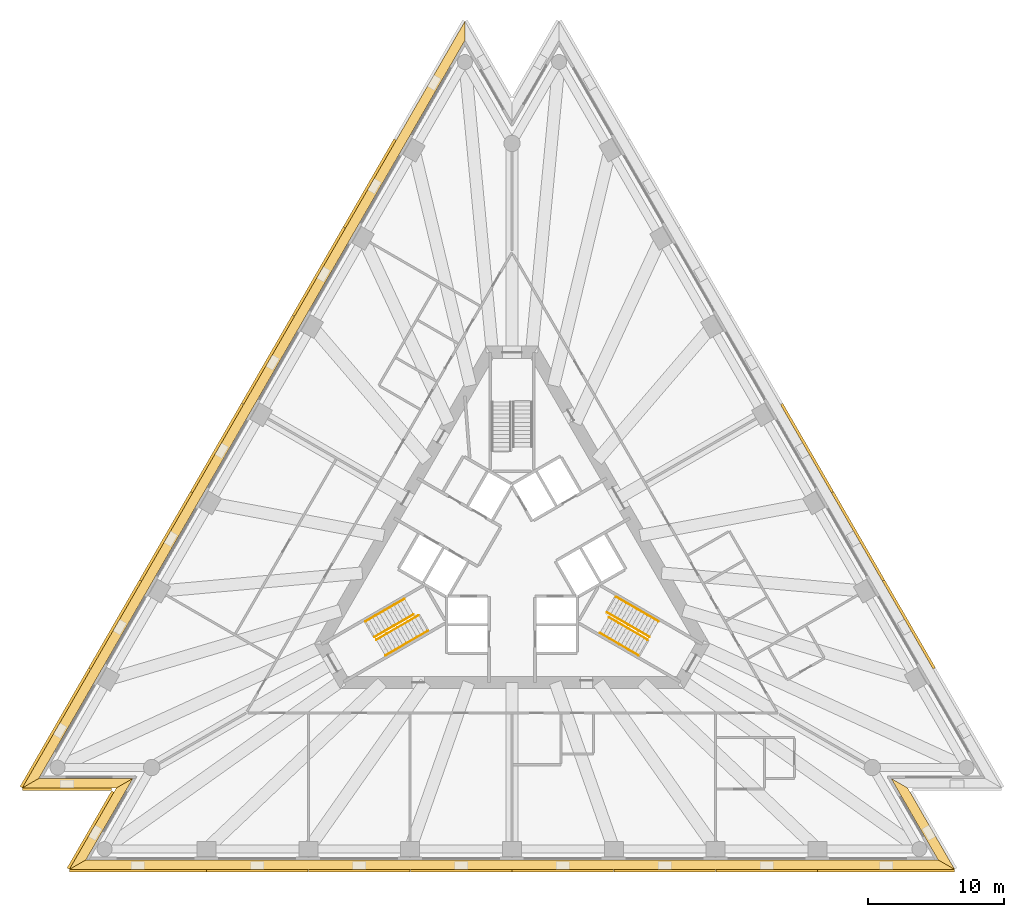
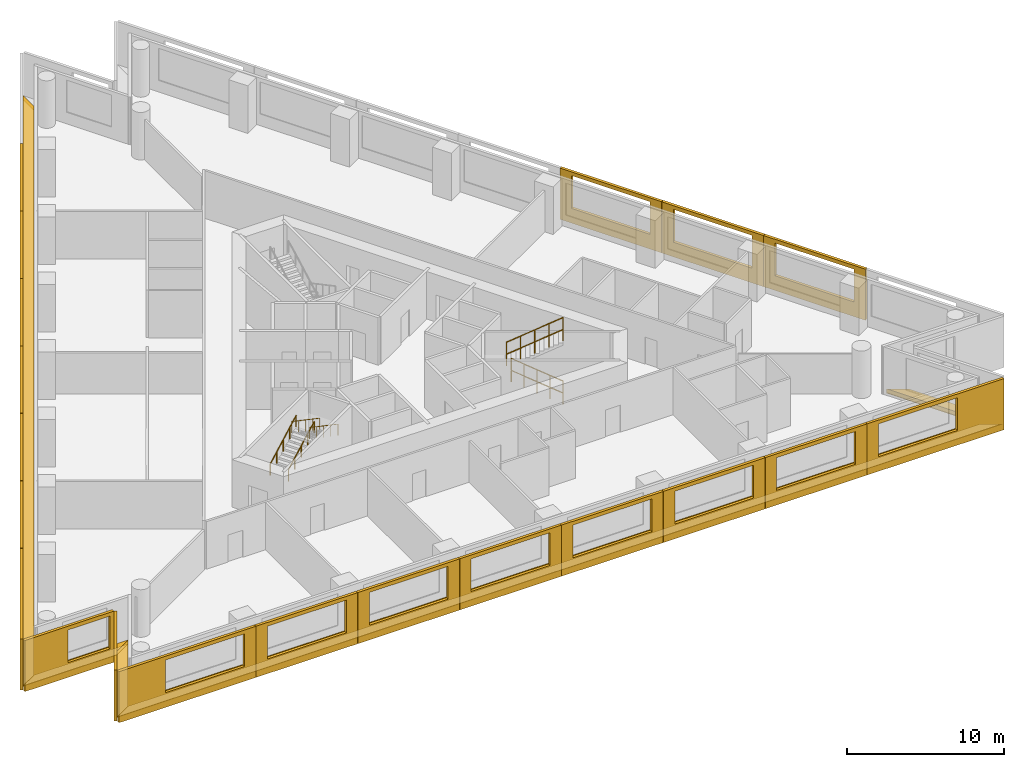
# One storey, part 8 of 9: 25 shading devices, 8 railings, 5 coverings, 2 elements without a shape of their own.
"""IFC4 building model written with IfcOpenShell, lengths in metres."""

from ifc_helpers import new_model, si_unit, direction, frame, origin, origin_2d, place, context, subcontext, project, spatial, polyline, circle, outline, extrude, material, layer, layer_set, layer_usage, type_object, element, aggregate, save


model = new_model("IFC4")

# Units and contexts
model_context = context("Model", 3, precision=1e-05, world=origin(), true_north=direction((0.0, 1.0)))
body_context = subcontext(model_context, "Body", "Model", "MODEL_VIEW")
ifc_project = project(units=[si_unit("LENGTHUNIT", "METRE"), si_unit("AREAUNIT", "SQUARE_METRE"), si_unit("VOLUMEUNIT", "CUBIC_METRE"), si_unit("PLANEANGLEUNIT", "RADIAN"), si_unit("MASSUNIT", "GRAM", prefix="KILO")], contexts=[model_context])

# Site, building, storey
site_placement = place(None, origin())
site = spatial("IfcSite", under=ifc_project, at=site_placement, CompositionType="ELEMENT")
building_placement = place(site_placement, origin())
building = spatial("IfcBuilding", under=site, at=building_placement, Name="Triada Interchange Tower", CompositionType="ELEMENT")
storey_placement = place(building_placement, frame((0.0, 0.0, 47.300048828125)))
storey = spatial("IfcBuildingStorey", under=building, at=storey_placement, Name="L09", CompositionType="ELEMENT", Elevation=47.300048828125)

# Coverings
ifc_material_1 = material(Name="Mineral fire-stop board")
ifc_layer_1 = layer(ifc_material_1, 0.0400390625, Name="Mineral fire-stop board")
ifc_material_2 = material(Name="Intumescent sealant")
ifc_layer_2 = layer(ifc_material_2, 0.010009765625, Name="Intumescent seal")
ifc_layer_set_1 = layer_set([ifc_layer_1, ifc_layer_2], Name="Cavity fire stop")
ifc_layer_usage = layer_usage(ifc_layer_set_1, "AXIS3", "POSITIVE", 0.0)
covering_type = type_object("IfcCoveringType", Name="Cavity fire stop", PredefinedType="INSULATION", material=ifc_layer_set_1)
covering_1_placement = place(storey_placement, origin())
element("IfcCovering", 1, at=covering_1_placement, inside=storey, type_object=covering_type, material=ifc_layer_usage, Name="Cavity fire stop L09 NW", PredefinedType="INSULATION", context=body_context, shape_type="SweptSolid", body=[
    extrude(outline(polyline([(-3.4619140625, 38.218017578125), (-3.4619140625, 39.617919921875), (-36.041015625, -16.81103515625), (-34.8291015625, -16.111083984375), (-3.4619140625, 38.218017578125)])), origin(), (0.0, 0.0, 1.0), 0.050048828125),
])
covering_2_placement = place(storey_placement, origin())
element("IfcCovering", 2, at=covering_2_placement, inside=storey, type_object=covering_type, material=ifc_layer_usage, Name="Cavity fire stop L09 SW-1", PredefinedType="INSULATION", context=body_context, shape_type="SweptSolid", body=[
    extrude(outline(polyline([(-34.8291015625, -16.111083984375), (-36.041015625, -16.81103515625), (-29.116943359375, -16.81103515625), (-27.905029296875, -16.111083984375), (-34.8291015625, -16.111083984375)])), origin(), (0.0, 0.0, 1.0), 0.050048828125),
])
covering_3_placement = place(storey_placement, origin())
element("IfcCovering", 3, at=covering_3_placement, inside=storey, type_object=covering_type, material=ifc_layer_usage, Name="Cavity fire stop L09 SW-2", PredefinedType="INSULATION", context=body_context, shape_type="SweptSolid", body=[
    extrude(outline(polyline([(-27.905029296875, -16.111083984375), (-29.116943359375, -16.81103515625), (-32.5791015625, -22.806884765625), (-31.366943359375, -22.10693359375), (-27.905029296875, -16.111083984375)])), origin(), (0.0, 0.0, 1.0), 0.050048828125),
])
covering_4_placement = place(storey_placement, origin())
element("IfcCovering", 4, at=covering_4_placement, inside=storey, type_object=covering_type, material=ifc_layer_usage, Name="Cavity fire stop L09 S", PredefinedType="INSULATION", context=body_context, shape_type="SweptSolid", body=[
    extrude(outline(polyline([(-31.366943359375, -22.10693359375), (-32.5791015625, -22.806884765625), (32.5791015625, -22.806884765625), (31.366943359375, -22.10693359375), (-31.366943359375, -22.10693359375)])), origin(), (0.0, 0.0, 1.0), 0.050048828125),
])
covering_5_placement = place(storey_placement, origin())
element("IfcCovering", 5, at=covering_5_placement, inside=storey, type_object=covering_type, material=ifc_layer_usage, Name="Cavity fire stop L09 SE-1", PredefinedType="INSULATION", context=body_context, shape_type="SweptSolid", body=[
    extrude(outline(polyline([(31.366943359375, -22.10693359375), (32.5791015625, -22.806884765625), (29.116943359375, -16.81103515625), (27.905029296875, -16.111083984375), (31.366943359375, -22.10693359375)])), origin(), (0.0, 0.0, 1.0), 0.050048828125),
])

# Shading devices
ifc_material_3 = material(Name="Aluminium louvre", Category="aluminium")
shading_device_type_1 = type_object("IfcShadingDeviceType", Name="Cavity louvre grille", PredefinedType="JALOUSIE", material=ifc_material_3)
shading_device_1_placement = place(storey_placement, frame((0.0, 0.0, 0.050048828125)))
element("IfcShadingDevice", 6, at=shading_device_1_placement, inside=storey, type_object=shading_device_type_1, Name="Cavity louvre grille L09 NW", PredefinedType="JALOUSIE", context=body_context, shape_type="SweptSolid", body=[
    extrude(outline(polyline([(-3.4619140625, 38.218017578125), (-3.4619140625, 39.617919921875), (-36.041015625, -16.81103515625), (-34.8291015625, -16.111083984375), (-3.4619140625, 38.218017578125)])), origin(), (0.0, 0.0, 1.0), 0.2998046875),
])
shading_device_2_placement = place(storey_placement, frame((0.0, 0.0, 0.050048828125)))
element("IfcShadingDevice", 7, at=shading_device_2_placement, inside=storey, type_object=shading_device_type_1, Name="Cavity louvre grille L09 SW-1", PredefinedType="JALOUSIE", context=body_context, shape_type="SweptSolid", body=[
    extrude(outline(polyline([(-34.8291015625, -16.111083984375), (-36.041015625, -16.81103515625), (-29.116943359375, -16.81103515625), (-27.905029296875, -16.111083984375), (-34.8291015625, -16.111083984375)])), origin(), (0.0, 0.0, 1.0), 0.2998046875),
])
shading_device_3_placement = place(storey_placement, frame((0.0, 0.0, 0.050048828125)))
element("IfcShadingDevice", 8, at=shading_device_3_placement, inside=storey, type_object=shading_device_type_1, Name="Cavity louvre grille L09 SW-2", PredefinedType="JALOUSIE", context=body_context, shape_type="SweptSolid", body=[
    extrude(outline(polyline([(-27.905029296875, -16.111083984375), (-29.116943359375, -16.81103515625), (-32.5791015625, -22.806884765625), (-31.366943359375, -22.10693359375), (-27.905029296875, -16.111083984375)])), origin(), (0.0, 0.0, 1.0), 0.2998046875),
])
shading_device_4_placement = place(storey_placement, frame((0.0, 0.0, 0.050048828125)))
element("IfcShadingDevice", 9, at=shading_device_4_placement, inside=storey, type_object=shading_device_type_1, Name="Cavity louvre grille L09 S", PredefinedType="JALOUSIE", context=body_context, shape_type="SweptSolid", body=[
    extrude(outline(polyline([(-31.366943359375, -22.10693359375), (-32.5791015625, -22.806884765625), (32.5791015625, -22.806884765625), (31.366943359375, -22.10693359375), (-31.366943359375, -22.10693359375)])), origin(), (0.0, 0.0, 1.0), 0.2998046875),
])
shading_device_5_placement = place(storey_placement, frame((0.0, 0.0, 0.050048828125)))
element("IfcShadingDevice", 10, at=shading_device_5_placement, inside=storey, type_object=shading_device_type_1, Name="Cavity louvre grille L09 SE-1", PredefinedType="JALOUSIE", context=body_context, shape_type="SweptSolid", body=[
    extrude(outline(polyline([(31.366943359375, -22.10693359375), (32.5791015625, -22.806884765625), (29.116943359375, -16.81103515625), (27.905029296875, -16.111083984375), (31.366943359375, -22.10693359375)])), origin(), (0.0, 0.0, 1.0), 0.2998046875),
])
ifc_material_4 = material(Name="Concrete C50/60 precast", Category="concrete")
ifc_layer_3 = layer(ifc_material_4, 0.02001953125, Name="Exposed aggregate face")
ifc_layer_4 = layer(ifc_material_4, 0.179931640625, Name="Precast concrete screen")
ifc_layer_set_2 = layer_set([ifc_layer_3, ifc_layer_4], Name="Outer skin screen panel 3980")
shading_device_type_2 = type_object("IfcShadingDeviceType", Name="Outer skin screen panel 3980", PredefinedType="SHUTTER", material=ifc_layer_set_2)
shading_device_6_placement = place(storey_placement, frame((-8.513916015625, 30.867919921875, -0.2900390625), z_axis=(0.0, 0.0, 1.0), x_axis=(-0.499936381736, -0.866062130691, 0.0)))
element("IfcShadingDevice", 11, at=shading_device_6_placement, inside=storey, type_object=shading_device_type_2, Name="Outer skin screen panel L09 02", PredefinedType="SHUTTER", context=body_context, shape_type="SweptSolid", body=[
    extrude(outline(polyline([(0.0, 0.0), (7.47509765625, 0.0), (7.47509765625, 3.97998046875), (0.0, 3.97998046875), (0.0, 0.0)]), holes=[polyline([(0.837158203125, 1.139892578125), (0.837158203125, 3.68994140625), (6.63720703125, 3.68994140625), (6.63720703125, 1.139892578125), (0.837158203125, 1.139892578125)])]), frame((0.0, 0.0, 0.0), z_axis=(0.0, -1.0, 0.0), x_axis=(1.0, 0.0, 0.0)), (0.0, 0.0, 1.0), 0.199951171875),
])
shading_device_7_placement = place(storey_placement, frame((-12.260986328125, 24.376953125, -0.2900390625), z_axis=(0.0, 0.0, 1.0), x_axis=(-0.50003436236, -0.866005563758, 0.0)))
element("IfcShadingDevice", 12, at=shading_device_7_placement, inside=storey, type_object=shading_device_type_2, Name="Outer skin screen panel L09 03", PredefinedType="SHUTTER", context=body_context, shape_type="SweptSolid", body=[
    extrude(outline(polyline([(0.0, 0.0), (7.4755859375, 0.0), (7.4755859375, 3.97998046875), (0.0, 3.97998046875), (0.0, 0.0)]), holes=[polyline([(0.837890625, 1.139892578125), (0.837890625, 3.68994140625), (6.637939453125, 3.68994140625), (6.637939453125, 1.139892578125), (0.837890625, 1.139892578125)])]), frame((0.0, 0.0, 0.0), z_axis=(0.0, -1.0, 0.0), x_axis=(1.0, 0.0, 0.0)), (0.0, 0.0, 1.0), 0.199951171875),
])
shading_device_8_placement = place(storey_placement, frame((-16.009033203125, 17.885986328125, -0.2900390625), z_axis=(0.0, 0.0, 1.0), x_axis=(-0.50003436236, -0.866005563758, 0.0)))
element("IfcShadingDevice", 13, at=shading_device_8_placement, inside=storey, type_object=shading_device_type_2, Name="Outer skin screen panel L09 04", PredefinedType="SHUTTER", context=body_context, shape_type="SweptSolid", body=[
    extrude(outline(polyline([(0.0, 0.0), (7.4755859375, 0.0), (7.4755859375, 3.97998046875), (0.0, 3.97998046875), (0.0, 0.0)]), holes=[polyline([(0.837646484375, 1.139892578125), (0.837646484375, 3.68994140625), (6.6376953125, 3.68994140625), (6.6376953125, 1.139892578125), (0.837646484375, 1.139892578125)])]), frame((0.0, 0.0, 0.0), z_axis=(0.0, -1.0, 0.0), x_axis=(1.0, 0.0, 0.0)), (0.0, 0.0, 1.0), 0.199951171875),
])
shading_device_9_placement = place(storey_placement, frame((-19.757080078125, 11.39501953125, -0.2900390625), z_axis=(0.0, 0.0, 1.0), x_axis=(-0.499897742873, -0.866084433915, 0.0)))
element("IfcShadingDevice", 14, at=shading_device_9_placement, inside=storey, type_object=shading_device_type_2, Name="Outer skin screen panel L09 05", PredefinedType="SHUTTER", context=body_context, shape_type="SweptSolid", body=[
    extrude(outline(polyline([(0.0, 0.0), (7.47509765625, 0.0), (7.47509765625, 3.97998046875), (0.0, 3.97998046875), (0.0, 0.0)]), holes=[polyline([(0.83740234375, 1.139892578125), (0.83740234375, 3.68994140625), (6.63720703125, 3.68994140625), (6.63720703125, 1.139892578125), (0.83740234375, 1.139892578125)])]), frame((0.0, 0.0, 0.0), z_axis=(0.0, -1.0, 0.0), x_axis=(1.0, 0.0, 0.0)), (0.0, 0.0, 1.0), 0.199951171875),
])
shading_device_10_placement = place(storey_placement, frame((-23.50390625, 4.904052734375, -0.2900390625), z_axis=(0.0, 0.0, 1.0), x_axis=(-0.500020220498, -0.86601372916, 0.0)))
element("IfcShadingDevice", 15, at=shading_device_10_placement, inside=storey, type_object=shading_device_type_2, Name="Outer skin screen panel L09 06", PredefinedType="SHUTTER", context=body_context, shape_type="SweptSolid", body=[
    extrude(outline(polyline([(0.0, 0.0), (7.475830078125, 0.0), (7.475830078125, 3.97998046875), (0.0, 3.97998046875), (0.0, 0.0)]), holes=[polyline([(0.838134765625, 1.139892578125), (0.838134765625, 3.68994140625), (6.63818359375, 3.68994140625), (6.63818359375, 1.139892578125), (0.838134765625, 1.139892578125)])]), frame((0.0, 0.0, 0.0), z_axis=(0.0, -1.0, 0.0), x_axis=(1.0, 0.0, 0.0)), (0.0, 0.0, 1.0), 0.199951171875),
])
shading_device_11_placement = place(storey_placement, frame((-27.251953125, -1.5869140625, -0.2900390625), z_axis=(0.0, 0.0, 1.0), x_axis=(-0.500020220498, -0.86601372916, 0.0)))
element("IfcShadingDevice", 16, at=shading_device_11_placement, inside=storey, type_object=shading_device_type_2, Name="Outer skin screen panel L09 07", PredefinedType="SHUTTER", context=body_context, shape_type="SweptSolid", body=[
    extrude(outline(polyline([(0.0, 0.0), (7.475830078125, 0.0), (7.475830078125, 3.97998046875), (0.0, 3.97998046875), (0.0, 0.0)]), holes=[polyline([(0.837890625, 1.139892578125), (0.837890625, 3.68994140625), (6.6376953125, 3.68994140625), (6.6376953125, 1.139892578125), (0.837890625, 1.139892578125)])]), frame((0.0, 0.0, 0.0), z_axis=(0.0, -1.0, 0.0), x_axis=(1.0, 0.0, 0.0)), (0.0, 0.0, 1.0), 0.199951171875),
])
shading_device_12_placement = place(storey_placement, frame((-31.0, -8.077880859375, -0.2900390625), z_axis=(0.0, 0.0, 1.0), x_axis=(-0.499926661183, -0.86606774183, 0.0)))
element("IfcShadingDevice", 17, at=shading_device_12_placement, inside=storey, type_object=shading_device_type_2, Name="Outer skin screen panel L09 08", PredefinedType="SHUTTER", context=body_context, shape_type="SweptSolid", body=[
    extrude(outline(polyline([(0.0, 0.0), (10.0732421875, 0.0), (10.0732421875, 3.97998046875), (0.0, 3.97998046875), (0.0, 0.0)]), holes=[polyline([(0.83740234375, 1.139892578125), (0.83740234375, 3.68994140625), (6.637451171875, 3.68994140625), (6.637451171875, 1.139892578125), (0.83740234375, 1.139892578125)])]), frame((0.0, 0.0, 0.0), z_axis=(0.0, -1.0, 0.0), x_axis=(1.0, 0.0, 0.0)), (0.0, 0.0, 1.0), 0.199951171875),
])
shading_device_13_placement = place(storey_placement, frame((-36.031005859375, -16.81103515625, -0.2900390625), z_axis=(0.0, 0.0, 1.0), x_axis=(1.0, 0.0, 0.0)))
element("IfcShadingDevice", 18, at=shading_device_13_placement, inside=storey, type_object=shading_device_type_2, Name="Outer skin screen panel L09 09", PredefinedType="SHUTTER", context=body_context, shape_type="SweptSolid", body=[
    extrude(outline(polyline([(0.0, 0.0), (6.556884765625, 0.0), (6.556884765625, 3.97998046875), (0.0, 3.97998046875), (0.0, 0.0)]), holes=[polyline([(3.175048828125, 1.139892578125), (3.175048828125, 3.68994140625), (6.257080078125, 3.68994140625), (6.257080078125, 1.139892578125), (3.175048828125, 1.139892578125)])]), frame((0.0, 0.0, 0.0), z_axis=(0.0, -1.0, 0.0), x_axis=(1.0, 0.0, 0.0)), (0.0, 0.0, 1.0), 0.199951171875),
])
shading_device_14_placement = place(storey_placement, frame((-29.2958984375, -17.1201171875, -0.2900390625), z_axis=(0.0, 0.0, 1.0), x_axis=(-0.499987845338, -0.866032421168, 0.0)))
element("IfcShadingDevice", 19, at=shading_device_14_placement, inside=storey, type_object=shading_device_type_2, Name="Outer skin screen panel L09 10", PredefinedType="SHUTTER", context=body_context, shape_type="SweptSolid", body=[
    extrude(outline(polyline([(0.0, 0.0), (6.556396484375, 0.0), (6.556396484375, 3.97998046875), (0.0, 3.97998046875), (0.0, 0.0)]), holes=[polyline([(0.300048828125, 1.139892578125), (0.300048828125, 3.68994140625), (2.9580078125, 3.68994140625), (2.9580078125, 1.139892578125), (0.300048828125, 1.139892578125)])]), frame((0.0, 0.0, 0.0), z_axis=(0.0, -1.0, 0.0), x_axis=(1.0, 0.0, 0.0)), (0.0, 0.0, 1.0), 0.199951171875),
])
shading_device_15_placement = place(storey_placement, frame((-32.569091796875, -22.806884765625, -0.2900390625), z_axis=(0.0, 0.0, 1.0), x_axis=(1.0, 0.0, 0.0)))
element("IfcShadingDevice", 20, at=shading_device_15_placement, inside=storey, type_object=shading_device_type_2, Name="Outer skin screen panel L09 11", PredefinedType="SHUTTER", context=body_context, shape_type="SweptSolid", body=[
    extrude(outline(polyline([(0.0, 0.0), (10.072998046875, 0.0), (10.072998046875, 3.97998046875), (0.0, 3.97998046875), (0.0, 0.0)]), holes=[polyline([(3.43603515625, 1.139892578125), (3.43603515625, 3.68994140625), (9.236083984375, 3.68994140625), (9.236083984375, 1.139892578125), (3.43603515625, 1.139892578125)])]), frame((0.0, 0.0, 0.0), z_axis=(0.0, -1.0, 0.0), x_axis=(1.0, 0.0, 0.0)), (0.0, 0.0, 1.0), 0.199951171875),
])
shading_device_16_placement = place(storey_placement, frame((-22.47607421875, -22.806884765625, -0.2900390625), z_axis=(0.0, 0.0, 1.0), x_axis=(1.0, 0.0, 0.0)))
element("IfcShadingDevice", 21, at=shading_device_16_placement, inside=storey, type_object=shading_device_type_2, Name="Outer skin screen panel L09 12", PredefinedType="SHUTTER", context=body_context, shape_type="SweptSolid", body=[
    extrude(outline(polyline([(0.0, 0.0), (7.47509765625, 0.0), (7.47509765625, 3.97998046875), (0.0, 3.97998046875), (0.0, 0.0)]), holes=[polyline([(0.837890625, 1.139892578125), (0.837890625, 3.68994140625), (6.6376953125, 3.68994140625), (6.6376953125, 1.139892578125), (0.837890625, 1.139892578125)])]), frame((0.0, 0.0, 0.0), z_axis=(0.0, -1.0, 0.0), x_axis=(1.0, 0.0, 0.0)), (0.0, 0.0, 1.0), 0.199951171875),
])
shading_device_17_placement = place(storey_placement, frame((-14.97998046875, -22.806884765625, -0.2900390625), z_axis=(0.0, 0.0, 1.0), x_axis=(1.0, 0.0, 0.0)))
element("IfcShadingDevice", 22, at=shading_device_17_placement, inside=storey, type_object=shading_device_type_2, Name="Outer skin screen panel L09 13", PredefinedType="SHUTTER", context=body_context, shape_type="SweptSolid", body=[
    extrude(outline(polyline([(0.0, 0.0), (7.47509765625, 0.0), (7.47509765625, 3.97998046875), (0.0, 3.97998046875), (0.0, 0.0)]), holes=[polyline([(0.83740234375, 1.139892578125), (0.83740234375, 3.68994140625), (6.637451171875, 3.68994140625), (6.637451171875, 1.139892578125), (0.83740234375, 1.139892578125)])]), frame((0.0, 0.0, 0.0), z_axis=(0.0, -1.0, 0.0), x_axis=(1.0, 0.0, 0.0)), (0.0, 0.0, 1.0), 0.199951171875),
])
shading_device_18_placement = place(storey_placement, frame((-7.485107421875, -22.806884765625, -0.2900390625), z_axis=(0.0, 0.0, 1.0), x_axis=(1.0, 0.0, 0.0)))
element("IfcShadingDevice", 23, at=shading_device_18_placement, inside=storey, type_object=shading_device_type_2, Name="Outer skin screen panel L09 14", PredefinedType="SHUTTER", context=body_context, shape_type="SweptSolid", body=[
    extrude(outline(polyline([(0.0, 0.0), (7.47509765625, 0.0), (7.47509765625, 3.97998046875), (0.0, 3.97998046875), (0.0, 0.0)]), holes=[polyline([(0.837158203125, 1.139892578125), (0.837158203125, 3.68994140625), (6.63720703125, 3.68994140625), (6.63720703125, 1.139892578125), (0.837158203125, 1.139892578125)])]), frame((0.0, 0.0, 0.0), z_axis=(0.0, -1.0, 0.0), x_axis=(1.0, 0.0, 0.0)), (0.0, 0.0, 1.0), 0.199951171875),
])
shading_device_19_placement = place(storey_placement, frame((0.010009765625, -22.806884765625, -0.2900390625), z_axis=(0.0, 0.0, 1.0), x_axis=(1.0, 0.0, 0.0)))
element("IfcShadingDevice", 24, at=shading_device_19_placement, inside=storey, type_object=shading_device_type_2, Name="Outer skin screen panel L09 15", PredefinedType="SHUTTER", context=body_context, shape_type="SweptSolid", body=[
    extrude(outline(polyline([(0.0, 0.0), (7.47509765625, 0.0), (7.47509765625, 3.97998046875), (0.0, 3.97998046875), (0.0, 0.0)]), holes=[polyline([(0.837890625, 1.139892578125), (0.837890625, 3.68994140625), (6.637939453125, 3.68994140625), (6.637939453125, 1.139892578125), (0.837890625, 1.139892578125)])]), frame((0.0, 0.0, 0.0), z_axis=(0.0, -1.0, 0.0), x_axis=(1.0, 0.0, 0.0)), (0.0, 0.0, 1.0), 0.199951171875),
])
shading_device_20_placement = place(storey_placement, frame((7.5048828125, -22.806884765625, -0.2900390625), z_axis=(0.0, 0.0, 1.0), x_axis=(1.0, 0.0, 0.0)))
element("IfcShadingDevice", 25, at=shading_device_20_placement, inside=storey, type_object=shading_device_type_2, Name="Outer skin screen panel L09 16", PredefinedType="SHUTTER", context=body_context, shape_type="SweptSolid", body=[
    extrude(outline(polyline([(0.0, 0.0), (7.47607421875, 0.0), (7.47607421875, 3.97998046875), (0.0, 3.97998046875), (0.0, 0.0)]), holes=[polyline([(0.837646484375, 1.139892578125), (0.837646484375, 3.68994140625), (6.6376953125, 3.68994140625), (6.6376953125, 1.139892578125), (0.837646484375, 1.139892578125)])]), frame((0.0, 0.0, 0.0), z_axis=(0.0, -1.0, 0.0), x_axis=(1.0, 0.0, 0.0)), (0.0, 0.0, 1.0), 0.199951171875),
])
shading_device_21_placement = place(storey_placement, frame((15.0009765625, -22.806884765625, -0.2900390625), z_axis=(0.0, 0.0, 1.0), x_axis=(1.0, 0.0, 0.0)))
element("IfcShadingDevice", 26, at=shading_device_21_placement, inside=storey, type_object=shading_device_type_2, Name="Outer skin screen panel L09 17", PredefinedType="SHUTTER", context=body_context, shape_type="SweptSolid", body=[
    extrude(outline(polyline([(0.0, 0.0), (7.47509765625, 0.0), (7.47509765625, 3.97998046875), (0.0, 3.97998046875), (0.0, 0.0)]), holes=[polyline([(0.83740234375, 1.139892578125), (0.83740234375, 3.68994140625), (6.637451171875, 3.68994140625), (6.637451171875, 1.139892578125), (0.83740234375, 1.139892578125)])]), frame((0.0, 0.0, 0.0), z_axis=(0.0, -1.0, 0.0), x_axis=(1.0, 0.0, 0.0)), (0.0, 0.0, 1.0), 0.199951171875),
])
shading_device_22_placement = place(storey_placement, frame((22.49609375, -22.806884765625, -0.2900390625), z_axis=(0.0, 0.0, 1.0), x_axis=(1.0, 0.0, 0.0)))
element("IfcShadingDevice", 27, at=shading_device_22_placement, inside=storey, type_object=shading_device_type_2, Name="Outer skin screen panel L09 18", PredefinedType="SHUTTER", context=body_context, shape_type="SweptSolid", body=[
    extrude(outline(polyline([(0.0, 0.0), (10.072998046875, 0.0), (10.072998046875, 3.97998046875), (0.0, 3.97998046875), (0.0, 0.0)]), holes=[polyline([(0.837158203125, 1.139892578125), (0.837158203125, 3.68994140625), (6.63720703125, 3.68994140625), (6.63720703125, 1.139892578125), (0.837158203125, 1.139892578125)])]), frame((0.0, 0.0, 0.0), z_axis=(0.0, -1.0, 0.0), x_axis=(1.0, 0.0, 0.0)), (0.0, 0.0, 1.0), 0.199951171875),
])
shading_device_23_placement = place(storey_placement, frame((30.989990234375, -8.06103515625, -0.2900390625), z_axis=(0.0, 0.0, 1.0), x_axis=(-0.500020220498, 0.86601372916, 0.0)))
element("IfcShadingDevice", 28, at=shading_device_23_placement, inside=storey, type_object=shading_device_type_2, Name="Outer skin screen panel L09 22", PredefinedType="SHUTTER", context=body_context, shape_type="SweptSolid", body=[
    extrude(outline(polyline([(0.0, 0.0), (7.475830078125, 0.0), (7.475830078125, 3.97998046875), (0.0, 3.97998046875), (0.0, 0.0)]), holes=[polyline([(0.837890625, 1.139892578125), (0.837890625, 3.68994140625), (6.637939453125, 3.68994140625), (6.637939453125, 1.139892578125), (0.837890625, 1.139892578125)])]), frame((0.0, 0.0, 0.0), z_axis=(0.0, -1.0, 0.0), x_axis=(1.0, 0.0, 0.0)), (0.0, 0.0, 1.0), 0.199951171875),
])
shading_device_24_placement = place(storey_placement, frame((27.241943359375, -1.570068359375, -0.2900390625), z_axis=(0.0, 0.0, 1.0), x_axis=(-0.500020220498, 0.86601372916, 0.0)))
element("IfcShadingDevice", 29, at=shading_device_24_placement, inside=storey, type_object=shading_device_type_2, Name="Outer skin screen panel L09 23", PredefinedType="SHUTTER", context=body_context, shape_type="SweptSolid", body=[
    extrude(outline(polyline([(0.0, 0.0), (7.475830078125, 0.0), (7.475830078125, 3.97998046875), (0.0, 3.97998046875), (0.0, 0.0)]), holes=[polyline([(0.837646484375, 1.139892578125), (0.837646484375, 3.68994140625), (6.6376953125, 3.68994140625), (6.6376953125, 1.139892578125), (0.837646484375, 1.139892578125)])]), frame((0.0, 0.0, 0.0), z_axis=(0.0, -1.0, 0.0), x_axis=(1.0, 0.0, 0.0)), (0.0, 0.0, 1.0), 0.199951171875),
])
shading_device_25_placement = place(storey_placement, frame((23.493896484375, 4.9208984375, -0.2900390625), z_axis=(0.0, 0.0, 1.0), x_axis=(-0.499897742873, 0.866084433915, 0.0)))
element("IfcShadingDevice", 30, at=shading_device_25_placement, inside=storey, type_object=shading_device_type_2, Name="Outer skin screen panel L09 24", PredefinedType="SHUTTER", context=body_context, shape_type="SweptSolid", body=[
    extrude(outline(polyline([(0.0, 0.0), (7.47509765625, 0.0), (7.47509765625, 3.97998046875), (0.0, 3.97998046875), (0.0, 0.0)]), holes=[polyline([(0.83740234375, 1.139892578125), (0.83740234375, 3.68994140625), (6.637451171875, 3.68994140625), (6.637451171875, 1.139892578125), (0.83740234375, 1.139892578125)])]), frame((0.0, 0.0, 0.0), z_axis=(0.0, -1.0, 0.0), x_axis=(1.0, 0.0, 0.0)), (0.0, 0.0, 1.0), 0.199951171875),
])

# Stair, railings
ifc_material_5 = material(Name="Concrete C35/45", Category="concrete")
stair_type = type_object("IfcStairType", Name="HALF TURN STAIR 1400", PredefinedType="HALF_TURN_STAIR", material=ifc_material_5)
stair_1_placement = place(storey_placement, origin())
stair_1 = element("IfcStair", 31, at=stair_1_placement, inside=storey, type_object=stair_type, Name="Exit stair S09-2", PredefinedType="HALF_TURN_STAIR")
ifc_material_6 = material(Name="Stainless steel 1.4301", Category="steel")
railing_type = type_object("IfcRailingType", Name="STAIR HANDRAIL 900", PredefinedType="HANDRAIL", material=ifc_material_6)
railing_1_placement = place(storey_placement, frame((-10.77099609375, -4.5439453125, 0.159912109375)))
railing_1 = element("IfcRailing", 32, at=railing_1_placement, type_object=railing_type, Name="Handrail S09-2 1W", PredefinedType="HANDRAIL", context=body_context, shape_type="SweptSolid", body=[
    extrude(circle(Radius=0.02392578125, at=origin_2d()), frame((0.0, 0.0, 0.8759765625), z_axis=(0.764150854273, 0.441152526326, 0.470593158077), x_axis=(-0.499974350878, 0.866040211805, 0.0)), (0.0, 0.0, 1.0), 3.739990234375),
    extrude(circle(Radius=0.02099609375, at=origin_2d()), origin(), (0.0, 0.0, 1.0), 0.851806640625),
    extrude(circle(Radius=0.02099609375, at=origin_2d()), frame((0.71435546875, 0.41259765625, 0.43994140625)), (0.0, 0.0, 1.0), 0.851806640625),
    extrude(circle(Radius=0.02099609375, at=origin_2d()), frame((1.428955078125, 0.824951171875, 0.8798828125)), (0.0, 0.0, 1.0), 0.851806640625),
    extrude(circle(Radius=0.02099609375, at=origin_2d()), frame((2.1435546875, 1.2373046875, 1.320068359375)), (0.0, 0.0, 1.0), 0.851806640625),
    extrude(circle(Radius=0.02099609375, at=origin_2d()), frame((2.85791015625, 1.64990234375, 1.760009765625)), (0.0, 0.0, 1.0), 0.851806640625),
])
railing_2_placement = place(storey_placement, frame((-10.10595703125, -5.696044921875, 0.159912109375)))
railing_2 = element("IfcRailing", 33, at=railing_2_placement, type_object=railing_type, Name="Handrail S09-2 1C", PredefinedType="HANDRAIL", context=body_context, shape_type="SweptSolid", body=[
    extrude(circle(Radius=0.02392578125, at=origin_2d()), frame((0.0, 0.0, 0.8759765625), z_axis=(0.76412884773, 0.441205098395, 0.470579605611), x_axis=(-0.50002983664, 0.866008176907, 0.0)), (0.0, 0.0, 1.0), 3.739990234375),
    extrude(circle(Radius=0.02099609375, at=origin_2d()), origin(), (0.0, 0.0, 1.0), 0.851806640625),
    extrude(circle(Radius=0.02099609375, at=origin_2d()), frame((0.71435546875, 0.41259765625, 0.43994140625)), (0.0, 0.0, 1.0), 0.851806640625),
    extrude(circle(Radius=0.02099609375, at=origin_2d()), frame((1.428955078125, 0.8251953125, 0.8798828125)), (0.0, 0.0, 1.0), 0.851806640625),
    extrude(circle(Radius=0.02099609375, at=origin_2d()), frame((2.1435546875, 1.237548828125, 1.320068359375)), (0.0, 0.0, 1.0), 0.851806640625),
    extrude(circle(Radius=0.02099609375, at=origin_2d()), frame((2.85791015625, 1.650146484375, 1.760009765625)), (0.0, 0.0, 1.0), 0.851806640625),
])
railing_3_placement = place(storey_placement, frame((-6.202880859375, -5.256103515625, 2.079833984375)))
railing_3 = element("IfcRailing", 34, at=railing_3_placement, type_object=railing_type, Name="Handrail S09-2 2W", PredefinedType="HANDRAIL", context=body_context, shape_type="SweptSolid", body=[
    extrude(circle(Radius=0.02392578125, at=origin_2d()), frame((0.0, 0.0, 0.8759765625), z_axis=(-0.764189758314, -0.441090424232, 0.470588196769), x_axis=(0.499902469156, -0.866081705922, 0.0)), (0.0, 0.0, 1.0), 4.080322265625),
    extrude(circle(Radius=0.02099609375, at=origin_2d()), origin(), (0.0, 0.0, 1.0), 0.851806640625),
    extrude(circle(Radius=0.02099609375, at=origin_2d()), frame((-0.779541015625, -0.449951171875, 0.47998046875)), (0.0, 0.0, 1.0), 0.851806640625),
    extrude(circle(Radius=0.02099609375, at=origin_2d()), frame((-1.55908203125, -0.89990234375, 0.9599609375)), (0.0, 0.0, 1.0), 0.851806640625),
    extrude(circle(Radius=0.02099609375, at=origin_2d()), frame((-2.338623046875, -1.349853515625, 1.440185546875)), (0.0, 0.0, 1.0), 0.851806640625),
    extrude(circle(Radius=0.02099609375, at=origin_2d()), frame((-3.1181640625, -1.7998046875, 1.920166015625)), (0.0, 0.0, 1.0), 0.851806640625),
])
railing_4_placement = place(storey_placement, frame((-6.867919921875, -4.10400390625, 2.079833984375)))
railing_4 = element("IfcRailing", 35, at=railing_4_placement, type_object=railing_type, Name="Handrail S09-2 2C", PredefinedType="HANDRAIL", context=body_context, shape_type="SweptSolid", body=[
    extrude(circle(Radius=0.02392578125, at=origin_2d()), frame((0.0, 0.0, 0.8759765625), z_axis=(-0.764169589359, -0.441138614339, 0.470575776723), x_axis=(0.49995333141, -0.866052346231, 0.0)), (0.0, 0.0, 1.0), 4.08056640625),
    extrude(circle(Radius=0.02099609375, at=origin_2d()), origin(), (0.0, 0.0, 1.0), 0.851806640625),
    extrude(circle(Radius=0.02099609375, at=origin_2d()), frame((-0.779541015625, -0.449951171875, 0.47998046875)), (0.0, 0.0, 1.0), 0.851806640625),
    extrude(circle(Radius=0.02099609375, at=origin_2d()), frame((-1.55908203125, -0.89990234375, 0.9599609375)), (0.0, 0.0, 1.0), 0.851806640625),
    extrude(circle(Radius=0.02099609375, at=origin_2d()), frame((-2.338623046875, -1.35009765625, 1.440185546875)), (0.0, 0.0, 1.0), 0.851806640625),
    extrude(circle(Radius=0.02099609375, at=origin_2d()), frame((-3.1181640625, -1.800048828125, 1.920166015625)), (0.0, 0.0, 1.0), 0.851806640625),
])
aggregate(stair_1, [railing_1, railing_2, railing_3, railing_4])

stair_2_placement = place(storey_placement, origin())
stair_2 = element("IfcStair", 36, at=stair_2_placement, inside=storey, type_object=stair_type, Name="Exit stair S09-3", PredefinedType="HALF_TURN_STAIR")
railing_5_placement = place(storey_placement, frame((9.321044921875, -7.055908203125, 0.159912109375)))
railing_5 = element("IfcRailing", 37, at=railing_5_placement, type_object=railing_type, Name="Handrail S09-3 1W", PredefinedType="HANDRAIL", context=body_context, shape_type="SweptSolid", body=[
    extrude(circle(Radius=0.02392578125, at=origin_2d()), frame((0.0, 0.0, 0.8759765625), z_axis=(-0.764178012919, 0.441130521168, 0.470569684388), x_axis=(-0.499942318283, -0.866058703778, 0.0)), (0.0, 0.0, 1.0), 3.740234375),
    extrude(circle(Radius=0.02099609375, at=origin_2d()), origin(), (0.0, 0.0, 1.0), 0.851806640625),
    extrude(circle(Radius=0.02099609375, at=origin_2d()), frame((-0.714599609375, 0.41259765625, 0.43994140625)), (0.0, 0.0, 1.0), 0.851806640625),
    extrude(circle(Radius=0.02099609375, at=origin_2d()), frame((-1.42919921875, 0.824951171875, 0.8798828125)), (0.0, 0.0, 1.0), 0.851806640625),
    extrude(circle(Radius=0.02099609375, at=origin_2d()), frame((-2.1435546875, 1.2373046875, 1.320068359375)), (0.0, 0.0, 1.0), 0.851806640625),
    extrude(circle(Radius=0.02099609375, at=origin_2d()), frame((-2.858154296875, 1.64990234375, 1.760009765625)), (0.0, 0.0, 1.0), 0.851806640625),
])
railing_6_placement = place(storey_placement, frame((9.986083984375, -5.904052734375, 0.159912109375)))
railing_6 = element("IfcRailing", 38, at=railing_6_placement, type_object=railing_type, Name="Handrail S09-3 1C", PredefinedType="HANDRAIL", context=body_context, shape_type="SweptSolid", body=[
    extrude(circle(Radius=0.02392578125, at=origin_2d()), frame((0.0, 0.0, 0.8759765625), z_axis=(-0.764156007789, 0.441183091881, 0.47055613395), x_axis=(-0.49999780286, -0.8660266723, 0.0)), (0.0, 0.0, 1.0), 3.740234375),
    extrude(circle(Radius=0.02099609375, at=origin_2d()), origin(), (0.0, 0.0, 1.0), 0.851806640625),
    extrude(circle(Radius=0.02099609375, at=origin_2d()), frame((-0.714599609375, 0.41259765625, 0.43994140625)), (0.0, 0.0, 1.0), 0.851806640625),
    extrude(circle(Radius=0.02099609375, at=origin_2d()), frame((-1.42919921875, 0.8251953125, 0.8798828125)), (0.0, 0.0, 1.0), 0.851806640625),
    extrude(circle(Radius=0.02099609375, at=origin_2d()), frame((-2.1435546875, 1.237548828125, 1.320068359375)), (0.0, 0.0, 1.0), 0.851806640625),
    extrude(circle(Radius=0.02099609375, at=origin_2d()), frame((-2.858154296875, 1.650146484375, 1.760009765625)), (0.0, 0.0, 1.0), 0.851806640625),
])
railing_7_placement = place(storey_placement, frame((7.653076171875, -2.743896484375, 2.079833984375)))
railing_7 = element("IfcRailing", 39, at=railing_7_placement, type_object=railing_type, Name="Handrail S09-3 2W", PredefinedType="HANDRAIL", context=body_context, shape_type="SweptSolid", body=[
    extrude(circle(Radius=0.02392578125, at=origin_2d()), frame((0.0, 0.0, 0.8759765625), z_axis=(0.76414469501, -0.441158784458, 0.470597292793), x_axis=(0.499982693035, 0.866035395735, 0.0)), (0.0, 0.0, 1.0), 4.080322265625),
    extrude(circle(Radius=0.02099609375, at=origin_2d()), origin(), (0.0, 0.0, 1.0), 0.851806640625),
    extrude(circle(Radius=0.02099609375, at=origin_2d()), frame((0.779541015625, -0.449951171875, 0.47998046875)), (0.0, 0.0, 1.0), 0.851806640625),
    extrude(circle(Radius=0.02099609375, at=origin_2d()), frame((1.55908203125, -0.89990234375, 0.9599609375)), (0.0, 0.0, 1.0), 0.851806640625),
    extrude(circle(Radius=0.02099609375, at=origin_2d()), frame((2.33837890625, -1.35009765625, 1.440185546875)), (0.0, 0.0, 1.0), 0.851806640625),
    extrude(circle(Radius=0.02099609375, at=origin_2d()), frame((3.117919921875, -1.800048828125, 1.920166015625)), (0.0, 0.0, 1.0), 0.851806640625),
])
railing_8_placement = place(storey_placement, frame((6.988037109375, -3.89599609375, 2.079833984375)))
railing_8 = element("IfcRailing", 40, at=railing_8_placement, type_object=railing_type, Name="Handrail S09-3 2C", PredefinedType="HANDRAIL", context=body_context, shape_type="SweptSolid", body=[
    extrude(circle(Radius=0.02392578125, at=origin_2d()), frame((0.0, 0.0, 0.8759765625), z_axis=(0.76414469501, -0.441158784458, 0.470597292793), x_axis=(0.499982693035, 0.866035395735, 0.0)), (0.0, 0.0, 1.0), 4.080322265625),
    extrude(circle(Radius=0.02099609375, at=origin_2d()), origin(), (0.0, 0.0, 1.0), 0.851806640625),
    extrude(circle(Radius=0.02099609375, at=origin_2d()), frame((0.779541015625, -0.449951171875, 0.47998046875)), (0.0, 0.0, 1.0), 0.851806640625),
    extrude(circle(Radius=0.02099609375, at=origin_2d()), frame((1.55908203125, -0.89990234375, 0.9599609375)), (0.0, 0.0, 1.0), 0.851806640625),
    extrude(circle(Radius=0.02099609375, at=origin_2d()), frame((2.33837890625, -1.35009765625, 1.440185546875)), (0.0, 0.0, 1.0), 0.851806640625),
    extrude(circle(Radius=0.02099609375, at=origin_2d()), frame((3.117919921875, -1.800048828125, 1.920166015625)), (0.0, 0.0, 1.0), 0.851806640625),
])
aggregate(stair_2, [railing_5, railing_6, railing_7, railing_8])

save(model, "model.ifc")
